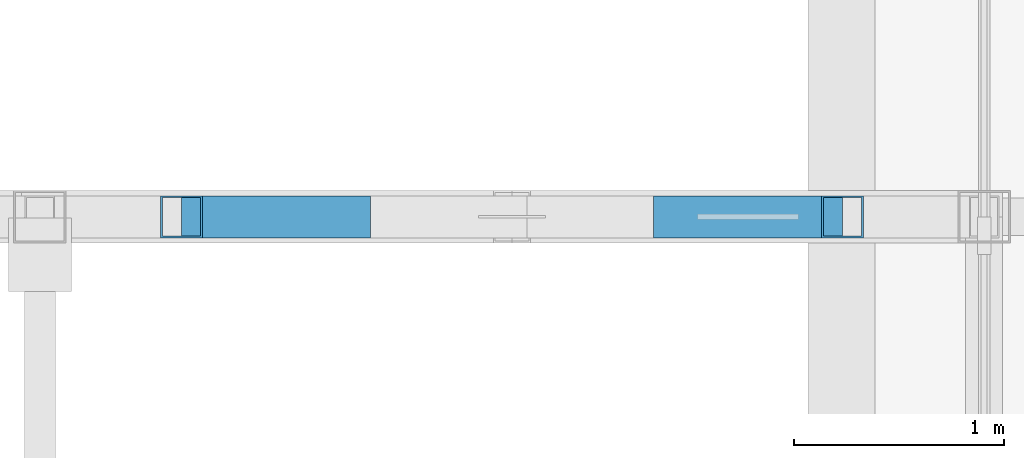
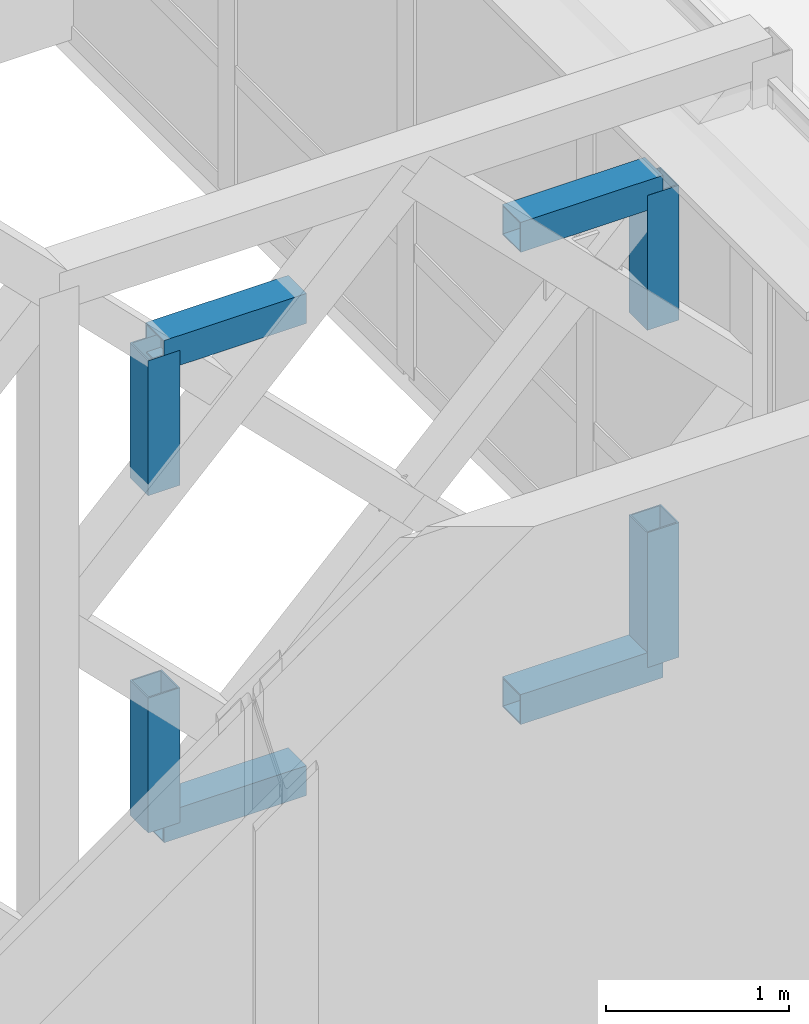
# One storey, part 72 of 140: 8 members.
"""IFC4 building model written with IfcOpenShell, lengths in metres."""

from ifc_helpers import new_model, si_unit, direction, frame, origin, origin_2d, place, context, subcontext, project, spatial, hollow_rectangle, extrude, material, material_profile, profile_set, type_object, element, save


model = new_model("IFC4")

# Units and contexts
model_context = context("Model", 3, precision=1e-05, world=origin(), true_north=direction((0.0, 1.0)))
body_context = subcontext(model_context, "Body", "Model", "MODEL_VIEW")
ifc_project = project(units=[si_unit("LENGTHUNIT", "METRE"), si_unit("AREAUNIT", "SQUARE_METRE"), si_unit("VOLUMEUNIT", "CUBIC_METRE"), si_unit("PLANEANGLEUNIT", "RADIAN"), si_unit("MASSUNIT", "GRAM", prefix="KILO"), si_unit("THERMODYNAMICTEMPERATUREUNIT", "KELVIN"), si_unit("POWERUNIT", "WATT")], contexts=[model_context])

# Site, building, storey
site_placement = place(None, origin())
site = spatial("IfcSite", under=ifc_project, at=site_placement, CompositionType="ELEMENT")
building_placement = place(site_placement, origin())
building = spatial("IfcBuilding", under=site, at=building_placement, Name="Tallowbark Science Centre", CompositionType="ELEMENT")
storey_placement = place(building_placement, frame((0.0, 0.0, 9.89990234375)))
storey = spatial("IfcBuildingStorey", under=building, at=storey_placement, Name="L02", CompositionType="ELEMENT", Elevation=9.89990234375)

# Members
ifc_material = material(Name="White Architectural Painted Steel Grade C350L0 (350 MPa)", Category="steel")
ifc_material_profile = material_profile(ifc_material, hollow_rectangle(XDim=0.199951171875, YDim=0.199951171875, WallThickness=0.009033203125, at=origin_2d()), Name="200x200x9.0SHS")
ifc_profile_set = profile_set([ifc_material_profile], Name="White Architectural Painted Steel Grade C350L0 (350 MPa)")
member_type = type_object("IfcMemberType", Name="SCR-SUB150", PredefinedType="BRACE", material=ifc_profile_set)
member_1_placement = place(storey_placement, frame((95.175048828125, 42.89990234375, 0.675048828125), z_axis=(1.0, 0.0, 0.0), x_axis=(0.0, 1.0, 0.0)))
element("IfcMember", 1, at=member_1_placement, inside=storey, type_object=member_type, Name="Star Screen Octagram Point Ray N-26-1", PredefinedType="BRACE", context=body_context, shape_type="SweptSolid", body=[
    extrude(hollow_rectangle(XDim=0.199951171875, YDim=0.199951171875, WallThickness=0.009033203125, at=origin_2d()), origin(), (0.0, 0.0, 1.0), 0.89990234375),
])
member_2_placement = place(storey_placement, frame((95.175048828125, 42.89990234375, 0.675048828125), z_axis=(0.0, 0.0, 1.0), x_axis=(1.0, 0.0, 0.0)))
element("IfcMember", 2, at=member_2_placement, inside=storey, type_object=member_type, Name="Star Screen Octagram Point Ray N-26-2", PredefinedType="BRACE", context=body_context, shape_type="SweptSolid", body=[
    extrude(hollow_rectangle(XDim=0.199951171875, YDim=0.199951171875, WallThickness=0.009033203125, at=origin_2d()), origin(), (0.0, 0.0, 1.0), 0.900146484375),
])
member_3_placement = place(storey_placement, frame((98.324951171875, 42.89990234375, 0.675048828125), z_axis=(-1.0, 0.0, 0.0), x_axis=(0.0, -1.0, 0.0)))
element("IfcMember", 3, at=member_3_placement, inside=storey, type_object=member_type, Name="Star Screen Octagram Point Ray N-26-3", PredefinedType="BRACE", context=body_context, shape_type="SweptSolid", body=[
    extrude(hollow_rectangle(XDim=0.199951171875, YDim=0.199951171875, WallThickness=0.009033203125, at=origin_2d()), origin(), (0.0, 0.0, 1.0), 0.89990234375),
])
member_4_placement = place(storey_placement, frame((98.324951171875, 42.89990234375, 0.675048828125), z_axis=(0.0, 0.0, 1.0), x_axis=(1.0, 0.0, 0.0)))
element("IfcMember", 4, at=member_4_placement, inside=storey, type_object=member_type, Name="Star Screen Octagram Point Ray N-26-4", PredefinedType="BRACE", context=body_context, shape_type="SweptSolid", body=[
    extrude(hollow_rectangle(XDim=0.199951171875, YDim=0.199951171875, WallThickness=0.009033203125, at=origin_2d()), origin(), (0.0, 0.0, 1.0), 0.900146484375),
])
member_5_placement = place(storey_placement, frame((98.324951171875, 42.89990234375, 3.8251953125), z_axis=(-1.0, 0.0, 0.0), x_axis=(0.0, -1.0, 0.0)))
element("IfcMember", 5, at=member_5_placement, inside=storey, type_object=member_type, Name="Star Screen Octagram Point Ray N-26-5", PredefinedType="BRACE", context=body_context, shape_type="SweptSolid", body=[
    extrude(hollow_rectangle(XDim=0.199951171875, YDim=0.199951171875, WallThickness=0.009033203125, at=origin_2d()), origin(), (0.0, 0.0, 1.0), 0.89990234375),
])
member_6_placement = place(storey_placement, frame((98.324951171875, 42.89990234375, 3.8251953125), z_axis=(0.0, 0.0, -1.0), x_axis=(1.0, 0.0, 0.0)))
element("IfcMember", 6, at=member_6_placement, inside=storey, type_object=member_type, Name="Star Screen Octagram Point Ray N-26-6", PredefinedType="BRACE", context=body_context, shape_type="SweptSolid", body=[
    extrude(hollow_rectangle(XDim=0.199951171875, YDim=0.199951171875, WallThickness=0.009033203125, at=origin_2d()), origin(), (0.0, 0.0, 1.0), 0.900146484375),
])
member_7_placement = place(storey_placement, frame((95.175048828125, 42.89990234375, 3.8251953125), z_axis=(1.0, 0.0, 0.0), x_axis=(0.0, 1.0, 0.0)))
element("IfcMember", 7, at=member_7_placement, inside=storey, type_object=member_type, Name="Star Screen Octagram Point Ray N-26-7", PredefinedType="BRACE", context=body_context, shape_type="SweptSolid", body=[
    extrude(hollow_rectangle(XDim=0.199951171875, YDim=0.199951171875, WallThickness=0.009033203125, at=origin_2d()), origin(), (0.0, 0.0, 1.0), 0.89990234375),
])
member_8_placement = place(storey_placement, frame((95.175048828125, 42.89990234375, 3.8251953125), z_axis=(0.0, 0.0, -1.0), x_axis=(1.0, 0.0, 0.0)))
element("IfcMember", 8, at=member_8_placement, inside=storey, type_object=member_type, Name="Star Screen Octagram Point Ray N-26-8", PredefinedType="BRACE", context=body_context, shape_type="SweptSolid", body=[
    extrude(hollow_rectangle(XDim=0.199951171875, YDim=0.199951171875, WallThickness=0.009033203125, at=origin_2d()), origin(), (0.0, 0.0, 1.0), 0.900146484375),
])

save(model, "model.ifc")
